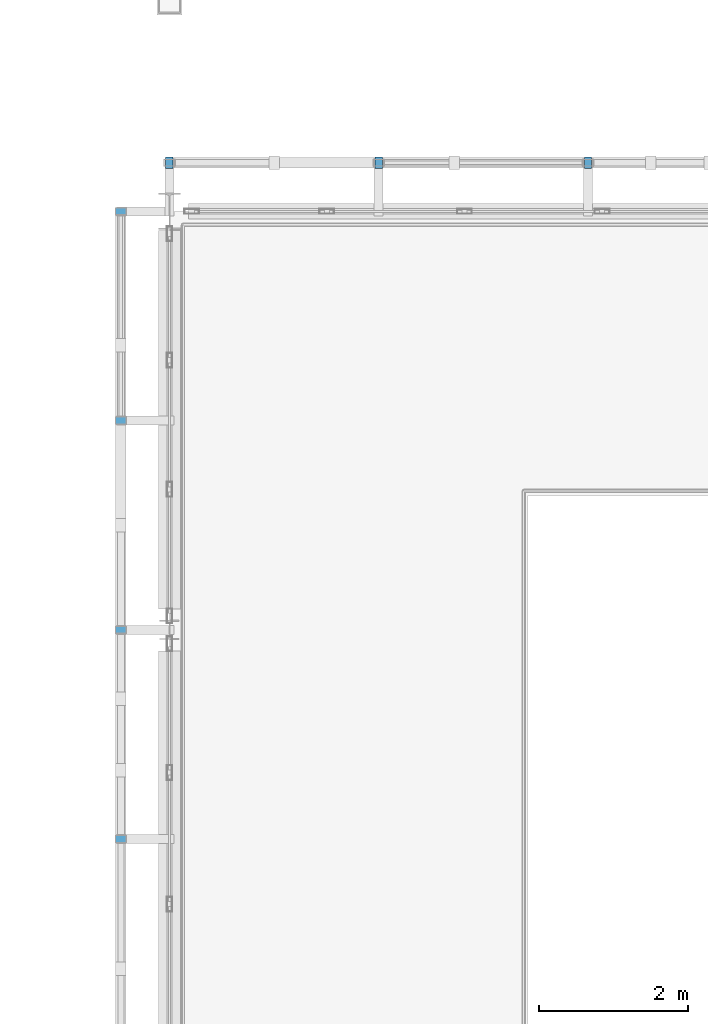
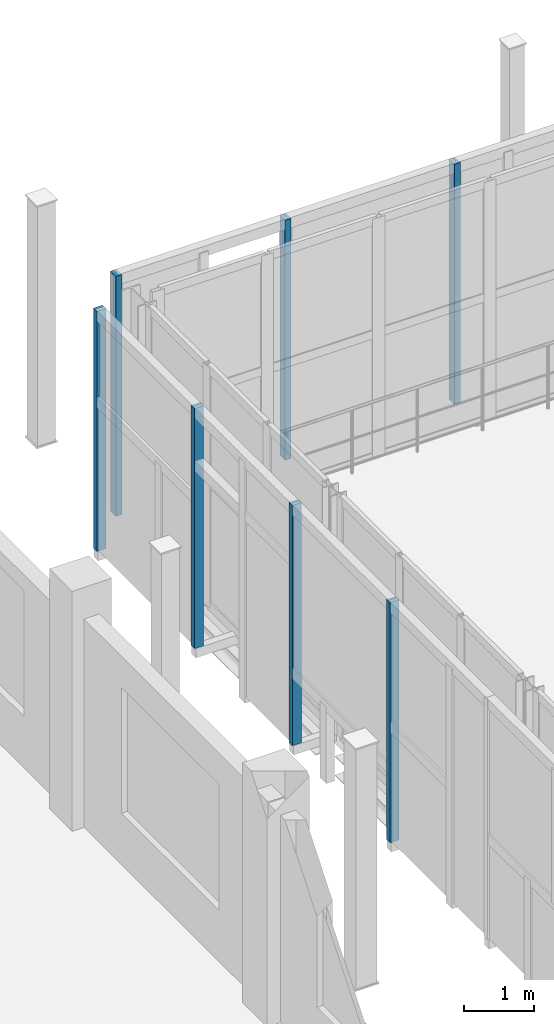
# One storey, part 107 of 121: 7 discrete accessories.
"""IFC4 building model written with IfcOpenShell, lengths in metres."""

from ifc_helpers import new_model, si_unit, direction, frame, origin, origin_2d, place, context, subcontext, project, spatial, rectangle, extrude, material, type_object, element, save


model = new_model("IFC4")

# Units and contexts
model_context = context("Model", 3, precision=1e-05, world=origin(), true_north=direction((0.0, 1.0)))
body_context = subcontext(model_context, "Body", "Model", "MODEL_VIEW")
ifc_project = project(units=[si_unit("LENGTHUNIT", "METRE"), si_unit("AREAUNIT", "SQUARE_METRE"), si_unit("VOLUMEUNIT", "CUBIC_METRE"), si_unit("PLANEANGLEUNIT", "RADIAN"), si_unit("MASSUNIT", "GRAM", prefix="KILO")], contexts=[model_context])

# Site, building, storey
site_placement = place(None, origin())
site = spatial("IfcSite", under=ifc_project, at=site_placement, CompositionType="ELEMENT")
building_placement = place(site_placement, origin())
building = spatial("IfcBuilding", under=site, at=building_placement, Name="Vinh Khe Railworks Police Headquarters", CompositionType="ELEMENT")
storey_placement = place(building_placement, frame((0.0, 0.0, 4.800048828125)))
storey = spatial("IfcBuildingStorey", under=building, at=storey_placement, Name="L01", CompositionType="ELEMENT", Elevation=4.800048828125)

# Discrete accessories
ifc_material = material(Name="Steel S355JR", Category="steel")
discrete_accessory_type = type_object("IfcDiscreteAccessoryType", Name="SCR-MULL-RHS150", PredefinedType="BRACKET", material=ifc_material)
for number, where, z_axis, x_axis, name in (
    (1, (26.39990234375, 59.449951171875, 0.0), (0.0, 0.0, 1.0), (1.0, 0.0, 0.0), "Patchwork Screen Vertical Support Channel N-1 L01"),
    (2, (29.199951171875, 59.449951171875, 0.0), (0.0, 0.0, 1.0), (1.0, 0.0, 0.0), "Patchwork Screen Vertical Support Channel N-2 L01"),
    (3, (32.0, 59.449951171875, 0.0), (0.0, 0.0, 1.0), (1.0, 0.0, 0.0), "Patchwork Screen Vertical Support Channel N-3 L01"),
):
    element("IfcDiscreteAccessory", number, at=place(storey_placement, frame(where, z_axis=z_axis, x_axis=x_axis)), inside=storey, type_object=discrete_accessory_type, Name=name, PredefinedType="BRACKET", context=body_context, shape_type="SweptSolid", body=[
        extrude(rectangle(XDim=0.10009765625, YDim=0.14990234375, at=origin_2d()), origin(), (0.0, 0.0, 1.0), 4.199951171875),
    ])
for number, where, z_axis, x_axis, name in (
    (4, (25.75, 50.39990234375, 0.0), (0.0, 0.0, 1.0), (1.0, 0.0, 0.0), "Patchwork Screen Vertical Support Channel W-10 L01"),
    (5, (25.75, 53.199951171875, 0.0), (0.0, 0.0, 1.0), (1.0, 0.0, 0.0), "Patchwork Screen Vertical Support Channel W-11 L01"),
    (6, (25.75, 56.0, 0.0), (0.0, 0.0, 1.0), (1.0, 0.0, 0.0), "Patchwork Screen Vertical Support Channel W-12 L01"),
    (7, (25.75, 58.800048828125, 0.0), (0.0, 0.0, 1.0), (1.0, 0.0, 0.0), "Patchwork Screen Vertical Support Channel W-13 L01"),
):
    element("IfcDiscreteAccessory", number, at=place(storey_placement, frame(where, z_axis=z_axis, x_axis=x_axis)), inside=storey, type_object=discrete_accessory_type, Name=name, PredefinedType="BRACKET", context=body_context, shape_type="SweptSolid", body=[
        extrude(rectangle(XDim=0.14990234375, YDim=0.10009765625, at=origin_2d()), origin(), (0.0, 0.0, 1.0), 4.199951171875),
    ])

save(model, "model.ifc")
